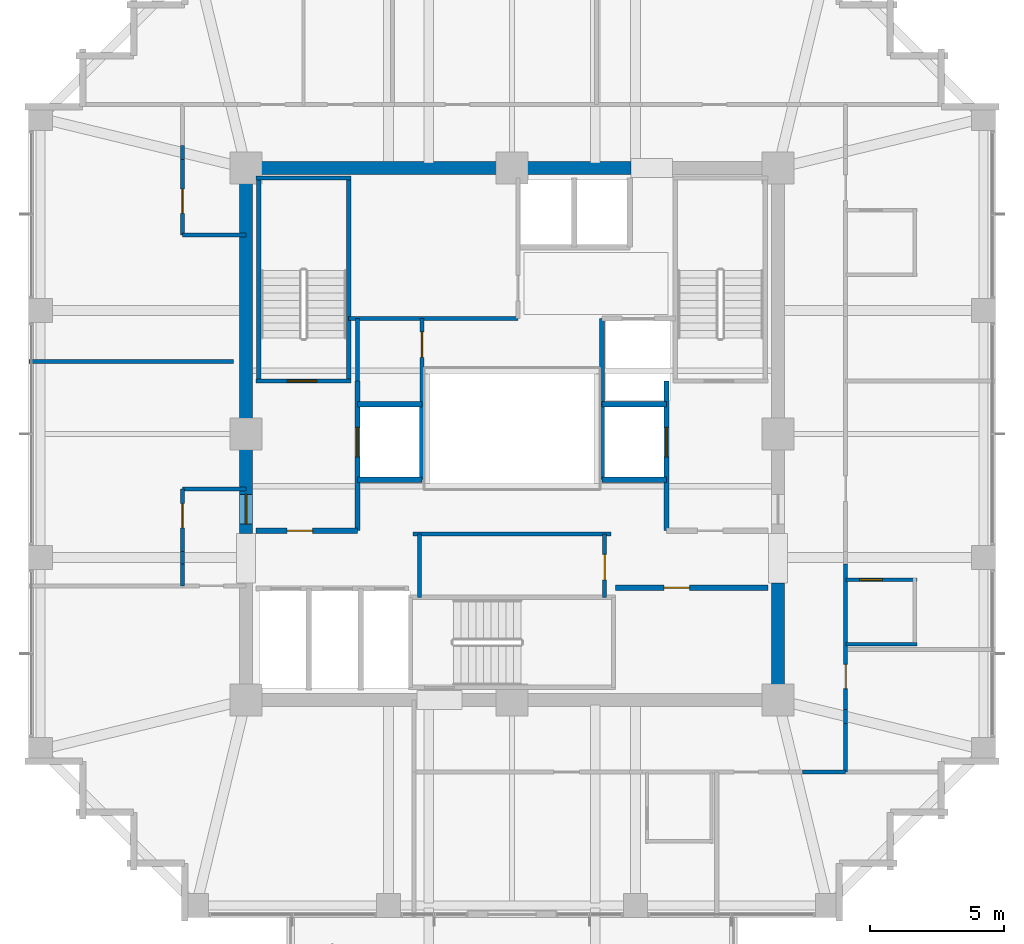
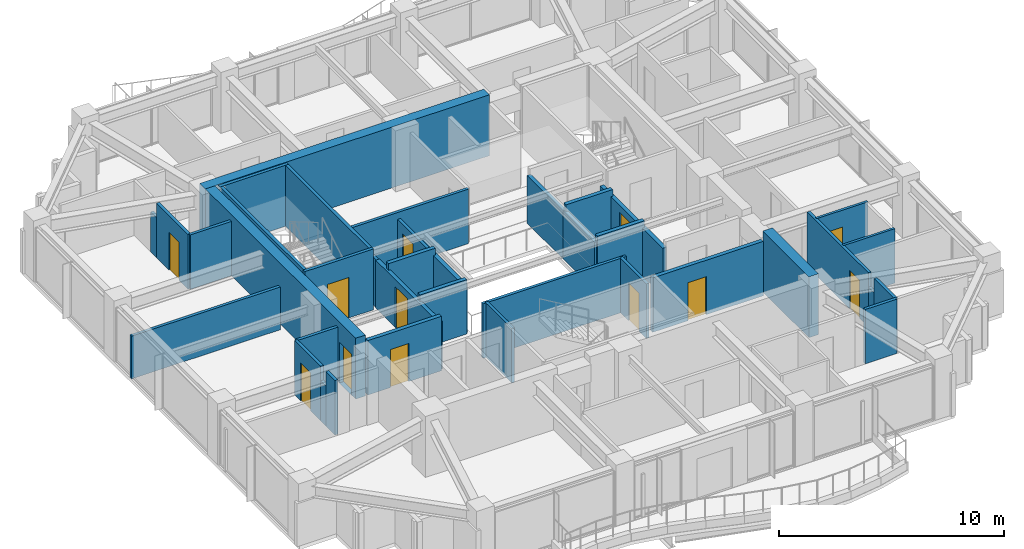
# One storey, part 27 of 31: 38 walls, 12 doors, 12 openings.
"""IFC4 building model written with IfcOpenShell, lengths in metres."""

from ifc_helpers import new_model, si_unit, direction, frame, frame_2d, origin, place, context, subcontext, project, spatial, rectangle, extrude, material, layer, layer_set, type_object, element, fill, save


model = new_model("IFC4")

# Units and contexts
model_context = context("Model", 3, precision=1e-05, world=origin(), true_north=direction((0.0, 1.0)))
body_context = subcontext(model_context, "Body", "Model", "MODEL_VIEW")
ifc_project = project(units=[si_unit("LENGTHUNIT", "METRE"), si_unit("AREAUNIT", "SQUARE_METRE"), si_unit("VOLUMEUNIT", "CUBIC_METRE"), si_unit("PLANEANGLEUNIT", "RADIAN"), si_unit("MASSUNIT", "GRAM", prefix="KILO")], contexts=[model_context])

# Site, building, storey
site_placement = place(None, origin())
site = spatial("IfcSite", under=ifc_project, at=site_placement, CompositionType="ELEMENT")
building_placement = place(site_placement, origin())
building = spatial("IfcBuilding", under=site, at=building_placement, Name="Kolvaren Belvedere", CompositionType="ELEMENT")
storey_placement = place(building_placement, frame((0.0, 0.0, 144.800048828125)))
storey = spatial("IfcBuildingStorey", under=building, at=storey_placement, Name="L42", CompositionType="ELEMENT", Elevation=144.800048828125)

# Walls
ifc_material_1 = material(Name="Concrete C50/60", Category="concrete")
ifc_layer_1 = layer(ifc_material_1, 0.5)
ifc_layer_set_1 = layer_set([ifc_layer_1], Name="Concrete C50/60")
wall_type_1 = type_object("IfcWallType", Name="CW-CORE-500", PredefinedType="SHEAR", material=ifc_layer_set_1)
wall_1_placement = place(storey_placement, frame((-10.14990234375, 9.89990234375, 0.0), z_axis=(0.0, 0.0, 1.0), x_axis=(1.0, 0.0, 0.0)))
element("IfcWall", 1, at=wall_1_placement, inside=storey, type_object=wall_type_1, Name="L42 North Core Shear Wall 1", PredefinedType="SHEAR", context=body_context, shape_type="SweptSolid", body=[
    extrude(rectangle(XDim=14.56982421875, YDim=0.5, at=frame_2d((7.284912109375, 0.0))), origin(), (0.0, 0.0, 1.0), 3.300048828125),
])
wall_2_placement = place(storey_placement, frame((9.89990234375, -9.64990234375, 0.0), z_axis=(0.0, 0.0, 1.0), x_axis=(0.0, 1.0, 0.0)))
element("IfcWall", 2, at=wall_2_placement, inside=storey, type_object=wall_type_1, Name="L42 East Core Shear Wall 1", PredefinedType="SHEAR", context=body_context, shape_type="SweptSolid", body=[
    extrude(rectangle(XDim=4.099853515625, YDim=0.5, at=frame_2d((2.0498046875, 0.0))), origin(), (0.0, 0.0, 1.0), 3.300048828125),
])

# Wall, opening, door
wall_3_placement = place(storey_placement, frame((-9.89990234375, -3.699951171875, 0.0), z_axis=(0.0, 0.0, 1.0), x_axis=(0.0, 1.0, 0.0)))
wall_3 = element("IfcWall", 3, at=wall_3_placement, inside=storey, type_object=wall_type_1, Name="L42 West Core Shear Wall 2", PredefinedType="SHEAR", context=body_context, shape_type="SweptSolid", body=[
    extrude(rectangle(XDim=13.349853515625, YDim=0.5, at=frame_2d((6.6748046875, 0.0))), origin(), (0.0, 0.0, 1.0), 3.300048828125),
])
opening_1_placement = place(wall_3_placement, frame((0.35009765625, 0.0, 0.0)))
opening_1 = element("IfcOpeningElement", 4, at=opening_1_placement, cuts=wall_3, Name="Opening D-FD90", PredefinedType="OPENING", context=body_context, shape_type="SweptSolid", body=[
    extrude(rectangle(XDim=1.10009765625, YDim=2.199951171875, at=frame_2d((0.550048828125, 1.10009765625))), frame((0.0, 0.260009765625, 0.0), z_axis=(0.0, -1.0, 0.0), x_axis=(1.0, 0.0, 0.0)), (0.0, 0.0, 1.0), 0.52001953125),
])
ifc_material_2 = material(Name="Painted hollow stainless steel", Category="steel")
door_type_1 = type_object("IfcDoorType", Name="DR-FD90-1100", OperationType="NOTDEFINED", PredefinedType="DOOR", material=ifc_material_2)
door_1_placement = place(opening_1_placement, origin())
door_1 = element("IfcDoor", 5, at=door_1_placement, inside=storey, type_object=door_type_1, Name="L42 West Firefighting Lobby Fire Door", OperationType="SINGLE_SWING_LEFT", OverallHeight=2.199951171875, OverallWidth=1.10009765625, PredefinedType="DOOR", context=body_context, shape_type="SweptSolid", body=[
    extrude(rectangle(XDim=1.10009765625, YDim=2.199951171875, at=frame_2d((0.550048828125, 1.10009765625))), frame((0.0, 0.02490234375, 0.0), z_axis=(0.0, -1.0, 0.0), x_axis=(1.0, 0.0, 0.0)), (0.0, 0.0, 1.0), 0.050048828125),
])
fill(opening_1, door_1)

ifc_material_3 = material(Name="Concrete C50/60", Category="concrete")
ifc_layer_2 = layer(ifc_material_3, 0.159912109375)
ifc_layer_set_2 = layer_set([ifc_layer_2], Name="Concrete C50/60")
wall_type_2 = type_object("IfcWallType", Name="CW-STAIR-160", PredefinedType="SHEAR", material=ifc_layer_set_2)
wall_4_placement = place(storey_placement, frame((-9.52001953125, 1.969970703125, 0.0), z_axis=(0.0, 0.0, 1.0), x_axis=(1.0, 0.0, 0.0)))
wall_4 = element("IfcWall", 6, at=wall_4_placement, inside=storey, type_object=wall_type_2, Name="L42 Stair ST-1 South Shear Wall", PredefinedType="SHEAR", context=body_context, shape_type="SweptSolid", body=[
    extrude(rectangle(XDim=3.52001953125, YDim=0.159912109375, at=frame_2d((1.760009765625, 0.0))), origin(), (0.0, 0.0, 1.0), 3.300048828125),
])
opening_2_placement = place(wall_4_placement, frame((1.14990234375, 0.0, 0.0)))
opening_2 = element("IfcOpeningElement", 7, at=opening_2_placement, cuts=wall_4, Name="Opening D-FD90", PredefinedType="OPENING", context=body_context, shape_type="SweptSolid", body=[
    extrude(rectangle(XDim=1.10009765625, YDim=2.199951171875, at=frame_2d((0.550048828125, 1.10009765625))), frame((0.0, 0.08984375, 0.0), z_axis=(0.0, -1.0, 0.0), x_axis=(1.0, 0.0, 0.0)), (0.0, 0.0, 1.0), 0.179931640625),
])
door_2_placement = place(opening_2_placement, origin())
door_2 = element("IfcDoor", 8, at=door_2_placement, inside=storey, type_object=door_type_1, Name="L42 Stair ST-1 Fire Door", OperationType="SINGLE_SWING_LEFT", OverallHeight=2.199951171875, OverallWidth=1.10009765625, PredefinedType="DOOR", context=body_context, shape_type="SweptSolid", body=[
    extrude(rectangle(XDim=1.10009765625, YDim=2.199951171875, at=frame_2d((0.550048828125, 1.10009765625))), frame((0.0, 0.02490234375, 0.0), z_axis=(0.0, -1.0, 0.0), x_axis=(1.0, 0.0, 0.0)), (0.0, 0.0, 1.0), 0.050048828125),
])
fill(opening_2, door_2)

# Walls
wall_5_placement = place(storey_placement, frame((-9.52001953125, 9.530029296875, 0.0), z_axis=(0.0, 0.0, 1.0), x_axis=(1.0, 0.0, 0.0)))
element("IfcWall", 9, at=wall_5_placement, inside=storey, type_object=wall_type_2, Name="L42 Stair ST-1 North Shear Wall", PredefinedType="SHEAR", context=body_context, shape_type="SweptSolid", body=[
    extrude(rectangle(XDim=3.52001953125, YDim=0.159912109375, at=frame_2d((1.760009765625, 0.0))), origin(), (0.0, 0.0, 1.0), 3.300048828125),
])
for number, where, z_axis, x_axis, name in (
    (10, (-9.429931640625, 1.969970703125, 0.0), (0.0, 0.0, 1.0), (0.0, 1.0, 0.0), "L42 Stair ST-1 West Shear Wall"),
    (11, (-6.080078125, 1.969970703125, 0.0), (0.0, 0.0, 1.0), (0.0, 1.0, 0.0), "L42 Stair ST-1 East Shear Wall"),
):
    element("IfcWall", number, at=place(storey_placement, frame(where, z_axis=z_axis, x_axis=x_axis)), inside=storey, type_object=wall_type_2, Name=name, PredefinedType="SHEAR", context=body_context, shape_type="SweptSolid", body=[
        extrude(rectangle(XDim=7.56005859375, YDim=0.159912109375, at=frame_2d((3.780029296875, 0.0))), origin(), (0.0, 0.0, 1.0), 3.300048828125),
    ])

# Wall, opening, door
ifc_material_4 = material(Name="Gypsum fire-rated partition assembly", Category="gypsum")
ifc_layer_3 = layer(ifc_material_4, 0.14990234375)
ifc_layer_set_3 = layer_set([ifc_layer_3], Name="Gypsum fire-rated partition assembly")
wall_type_3 = type_object("IfcWallType", Name="WL-CORR-150", PredefinedType="PARTITIONING", material=ifc_layer_set_3)
wall_6_placement = place(storey_placement, frame((-12.260009765625, 7.39990234375, 0.0), z_axis=(0.0, 0.0, 1.0), x_axis=(0.0, 1.0, 0.0)))
wall_6 = element("IfcWall", 12, at=wall_6_placement, inside=storey, type_object=wall_type_3, Name="L42 NW Corridor End Wall", PredefinedType="PARTITIONING", context=body_context, shape_type="SweptSolid", body=[
    extrude(rectangle(XDim=2.8115234375, YDim=0.14990234375, at=frame_2d((1.40576171875, 0.0))), origin(), (0.0, 0.0, 1.0), 2.949951171875),
])
opening_3_placement = place(wall_6_placement, frame((0.810302734375, 0.0, 0.0)))
opening_3 = element("IfcOpeningElement", 13, at=opening_3_placement, cuts=wall_6, Name="Opening D-INT90", PredefinedType="OPENING", context=body_context, shape_type="SweptSolid", body=[
    extrude(rectangle(XDim=0.89990234375, YDim=2.06005859375, at=frame_2d((0.449951171875, 1.030029296875))), frame((0.0, 0.0849609375, 0.0), z_axis=(0.0, -1.0, 0.0), x_axis=(1.0, 0.0, 0.0)), (0.0, 0.0, 1.0), 0.169921875),
])
ifc_material_5 = material(Name="Stained Pacific white oak", Category="timber")
door_type_2 = type_object("IfcDoorType", Name="DR-INT-900", OperationType="NOTDEFINED", PredefinedType="DOOR", material=ifc_material_5)
door_3_placement = place(opening_3_placement, origin())
door_3 = element("IfcDoor", 14, at=door_3_placement, inside=storey, type_object=door_type_2, Name="L42 Lounge 4206 Door", OperationType="SINGLE_SWING_LEFT", OverallHeight=2.06005859375, OverallWidth=0.89990234375, PredefinedType="DOOR", context=body_context, shape_type="SweptSolid", body=[
    extrude(rectangle(XDim=0.89990234375, YDim=2.06005859375, at=frame_2d((0.449951171875, 1.030029296875))), frame((0.0, 0.02490234375, 0.0), z_axis=(0.0, -1.0, 0.0), x_axis=(1.0, 0.0, 0.0)), (0.0, 0.0, 1.0), 0.050048828125),
])
fill(opening_3, door_3)

# Walls
wall_7_placement = place(storey_placement, frame((-12.260009765625, 10.21142578125, 0.0), z_axis=(0.0, 0.0, 1.0), x_axis=(0.0, 1.0, 0.0)))
element("IfcWall", 15, at=wall_7_placement, inside=storey, type_object=wall_type_3, Name="L42 NW Corridor End Wall", PredefinedType="PARTITIONING", context=body_context, shape_type="SweptSolid", body=[
    extrude(rectangle(XDim=0.5185546875, YDim=0.14990234375, at=frame_2d((0.25927734375, 0.0))), origin(), (0.0, 0.0, 1.0), 2.161865234375),
])
wall_8_placement = place(storey_placement, frame((-12.260009765625, 7.39990234375, 0.0), z_axis=(0.0, 0.0, 1.0), x_axis=(1.0, 0.0, 0.0)))
element("IfcWall", 16, at=wall_8_placement, inside=storey, type_object=wall_type_3, Name="L42 NW Core Closure Wall", PredefinedType="PARTITIONING", context=body_context, shape_type="SweptSolid", body=[
    extrude(rectangle(XDim=2.360107421875, YDim=0.14990234375, at=frame_2d((1.18017578125, 0.0))), origin(), (0.0, 0.0, 1.0), 2.949951171875),
])
wall_9_placement = place(storey_placement, frame((12.419921875, -12.580078125, 0.0), z_axis=(0.0, 0.0, 1.0), x_axis=(0.0, 1.0, 0.0)))
element("IfcWall", 17, at=wall_9_placement, inside=storey, type_object=wall_type_3, Name="L42 East Corridor Wall", PredefinedType="PARTITIONING", context=body_context, shape_type="SweptSolid", body=[
    extrude(rectangle(XDim=1.811279296875, YDim=0.14990234375, at=frame_2d((0.90576171875, 0.0))), origin(), (0.0, 0.0, 1.0), 2.949951171875),
])
wall_10_placement = place(storey_placement, frame((12.419921875, -10.768798828125, 0.0), z_axis=(0.0, 0.0, 1.0), x_axis=(0.0, 1.0, 0.0)))
element("IfcWall", 18, at=wall_10_placement, inside=storey, type_object=wall_type_3, Name="L42 East Corridor Wall", PredefinedType="PARTITIONING", context=body_context, shape_type="SweptSolid", body=[
    extrude(rectangle(XDim=0.518798828125, YDim=0.14990234375, at=frame_2d((0.25927734375, 0.0))), origin(), (0.0, 0.0, 1.0), 2.161865234375),
])

# Wall, opening, door
wall_11_placement = place(storey_placement, frame((12.419921875, -10.25, 0.0), z_axis=(0.0, 0.0, 1.0), x_axis=(0.0, 1.0, 0.0)))
wall_11 = element("IfcWall", 19, at=wall_11_placement, inside=storey, type_object=wall_type_3, Name="L42 East Corridor Wall", PredefinedType="PARTITIONING", context=body_context, shape_type="SweptSolid", body=[
    extrude(rectangle(XDim=5.41748046875, YDim=0.14990234375, at=frame_2d((2.708740234375, 0.0))), origin(), (0.0, 0.0, 1.0), 2.949951171875),
])
opening_4_placement = place(wall_11_placement, frame((0.7744140625, 0.0, 0.0)))
opening_4 = element("IfcOpeningElement", 20, at=opening_4_placement, cuts=wall_11, Name="Opening D-INT90", PredefinedType="OPENING", context=body_context, shape_type="SweptSolid", body=[
    extrude(rectangle(XDim=0.89990234375, YDim=2.06005859375, at=frame_2d((0.449951171875, 1.030029296875))), frame((0.0, 0.0849609375, 0.0), z_axis=(0.0, -1.0, 0.0), x_axis=(1.0, 0.0, 0.0)), (0.0, 0.0, 1.0), 0.169921875),
])
door_4_placement = place(opening_4_placement, origin())
door_4 = element("IfcDoor", 21, at=door_4_placement, inside=storey, type_object=door_type_2, Name="L42 Botanical Reading Salon 4203 Door", OperationType="SINGLE_SWING_RIGHT", OverallHeight=2.06005859375, OverallWidth=0.89990234375, PredefinedType="DOOR", context=body_context, shape_type="SweptSolid", body=[
    extrude(rectangle(XDim=0.89990234375, YDim=2.06005859375, at=frame_2d((0.449951171875, 1.030029296875))), frame((0.0, 0.02490234375, 0.0), z_axis=(0.0, -1.0, 0.0), x_axis=(1.0, 0.0, 0.0)), (0.0, 0.0, 1.0), 0.050048828125),
])
fill(opening_4, door_4)

# Walls
wall_12_placement = place(storey_placement, frame((10.8076171875, -12.580078125, 0.0), z_axis=(0.0, 0.0, 1.0), x_axis=(1.0, 0.0, 0.0)))
element("IfcWall", 22, at=wall_12_placement, inside=storey, type_object=wall_type_3, Name="L42 South-East Corridor Wall", PredefinedType="PARTITIONING", context=body_context, shape_type="SweptSolid", body=[
    extrude(rectangle(XDim=1.6123046875, YDim=0.14990234375, at=frame_2d((0.80615234375, 0.0))), origin(), (0.0, 0.0, 1.0), 2.949951171875),
])
wall_13_placement = place(storey_placement, frame((-12.260009765625, -5.64990234375, 0.0), z_axis=(0.0, 0.0, 1.0), x_axis=(0.0, 1.0, 0.0)))
element("IfcWall", 23, at=wall_13_placement, inside=storey, type_object=wall_type_3, Name="L42 West FSAE Pocket Wall", PredefinedType="PARTITIONING", context=body_context, shape_type="SweptSolid", body=[
    extrude(rectangle(XDim=0.8173828125, YDim=0.14990234375, at=frame_2d((0.40869140625, 0.0))), origin(), (0.0, 0.0, 1.0), 2.949951171875),
])
wall_14_placement = place(storey_placement, frame((-12.260009765625, -4.83251953125, 0.0), z_axis=(0.0, 0.0, 1.0), x_axis=(0.0, 1.0, 0.0)))
element("IfcWall", 24, at=wall_14_placement, inside=storey, type_object=wall_type_3, Name="L42 West FSAE Pocket Wall", PredefinedType="PARTITIONING", context=body_context, shape_type="SweptSolid", body=[
    extrude(rectangle(XDim=0.465087890625, YDim=0.14990234375, at=frame_2d((0.232421875, 0.0))), origin(), (0.0, 0.0, 1.0), 2.161865234375),
])

# Wall, opening, door
wall_15_placement = place(storey_placement, frame((-12.260009765625, -4.367431640625, 0.0), z_axis=(0.0, 0.0, 1.0), x_axis=(0.0, 1.0, 0.0)))
wall_15 = element("IfcWall", 25, at=wall_15_placement, inside=storey, type_object=wall_type_3, Name="L42 West FSAE Pocket Wall", PredefinedType="PARTITIONING", context=body_context, shape_type="SweptSolid", body=[
    extrude(rectangle(XDim=2.3173828125, YDim=0.14990234375, at=frame_2d((1.15869140625, 0.0))), origin(), (0.0, 0.0, 1.0), 2.949951171875),
])
opening_5_placement = place(wall_15_placement, frame((0.873779296875, 0.0, 0.0)))
opening_5 = element("IfcOpeningElement", 26, at=opening_5_placement, cuts=wall_15, Name="Opening D-INT90", PredefinedType="OPENING", context=body_context, shape_type="SweptSolid", body=[
    extrude(rectangle(XDim=0.89990234375, YDim=2.06005859375, at=frame_2d((0.449951171875, 1.030029296875))), frame((0.0, 0.0849609375, 0.0), z_axis=(0.0, -1.0, 0.0), x_axis=(1.0, 0.0, 0.0)), (0.0, 0.0, 1.0), 0.169921875),
])
door_5_placement = place(opening_5_placement, origin())
door_5 = element("IfcDoor", 27, at=door_5_placement, inside=storey, type_object=door_type_2, Name="L42 Lounge 4207 Door", OperationType="SINGLE_SWING_RIGHT", OverallHeight=2.06005859375, OverallWidth=0.89990234375, PredefinedType="DOOR", context=body_context, shape_type="SweptSolid", body=[
    extrude(rectangle(XDim=0.89990234375, YDim=2.06005859375, at=frame_2d((0.449951171875, 1.030029296875))), frame((0.0, 0.02490234375, 0.0), z_axis=(0.0, -1.0, 0.0), x_axis=(1.0, 0.0, 0.0)), (0.0, 0.0, 1.0), 0.050048828125),
])
fill(opening_5, door_5)

# Walls
wall_16_placement = place(storey_placement, frame((-12.260009765625, -2.050048828125, 0.0), z_axis=(0.0, 0.0, 1.0), x_axis=(1.0, 0.0, 0.0)))
element("IfcWall", 28, at=wall_16_placement, inside=storey, type_object=wall_type_3, Name="L42 West Pocket North Closure Wall", PredefinedType="PARTITIONING", context=body_context, shape_type="SweptSolid", body=[
    extrude(rectangle(XDim=2.360107421875, YDim=0.14990234375, at=frame_2d((1.18017578125, 0.0))), origin(), (0.0, 0.0, 1.0), 2.949951171875),
])
ifc_material_6 = material(Name="Gypsum acoustic partition assembly", Category="gypsum")
ifc_layer_4 = layer(ifc_material_6, 0.14990234375)
ifc_layer_set_4 = layer_set([ifc_layer_4], Name="Gypsum acoustic partition assembly")
wall_type_4 = type_object("IfcWallType", Name="WL-PART-150", PredefinedType="PARTITIONING", material=ifc_layer_set_4)
wall_17_placement = place(storey_placement, frame((-6.080078125, 4.300048828125, 0.0), z_axis=(0.0, 0.0, 1.0), x_axis=(1.0, 0.0, 0.0)))
element("IfcWall", 29, at=wall_17_placement, inside=storey, type_object=wall_type_4, Name="L42 Reclaimed Salon South Wall", PredefinedType="PARTITIONING", context=body_context, shape_type="SweptSolid", body=[
    extrude(rectangle(XDim=6.300048828125, YDim=0.14990234375, at=frame_2d((3.14990234375, 0.0))), origin(), (0.0, 0.0, 1.0), 2.949951171875),
])
wall_18_placement = place(storey_placement, frame((-3.679931640625, -3.719970703125, 0.0), z_axis=(0.0, 0.0, 1.0), x_axis=(1.0, 0.0, 0.0)))
element("IfcWall", 30, at=wall_18_placement, inside=storey, type_object=wall_type_4, Name="L42 South Core Service North Wall", PredefinedType="PARTITIONING", context=body_context, shape_type="SweptSolid", body=[
    extrude(rectangle(XDim=7.35986328125, YDim=0.14990234375, at=frame_2d((3.679931640625, 0.0))), origin(), (0.0, 0.0, 1.0), 2.949951171875),
])

# Wall, opening, door
wall_19_placement = place(storey_placement, frame((3.449951171875, -6.080078125, 0.0), z_axis=(0.0, 0.0, 1.0), x_axis=(0.0, 1.0, 0.0)))
wall_19 = element("IfcWall", 31, at=wall_19_placement, inside=storey, type_object=wall_type_4, Name="L42 South Core Service East Wall", PredefinedType="PARTITIONING", context=body_context, shape_type="SweptSolid", body=[
    extrude(rectangle(XDim=2.360107421875, YDim=0.14990234375, at=frame_2d((1.18017578125, 0.0))), origin(), (0.0, 0.0, 1.0), 2.949951171875),
])
opening_6_placement = place(wall_19_placement, frame((0.64990234375, 0.0, 0.0)))
opening_6 = element("IfcOpeningElement", 32, at=opening_6_placement, cuts=wall_19, Name="Opening D-FD60", PredefinedType="OPENING", context=body_context, shape_type="SweptSolid", body=[
    extrude(rectangle(XDim=0.949951171875, YDim=2.06005859375, at=frame_2d((0.47509765625, 1.030029296875))), frame((0.0, 0.0849609375, 0.0), z_axis=(0.0, -1.0, 0.0), x_axis=(1.0, 0.0, 0.0)), (0.0, 0.0, 1.0), 0.169921875),
])
ifc_material_7 = material(Name="Acoustic white-oak fire door leaf", Category="timber")
door_type_3 = type_object("IfcDoorType", Name="DR-FD60-950", OperationType="NOTDEFINED", PredefinedType="DOOR", material=ifc_material_7)
door_6_placement = place(opening_6_placement, origin())
door_6 = element("IfcDoor", 33, at=door_6_placement, inside=storey, type_object=door_type_3, Name="L42 Core Service Room Door", OperationType="SINGLE_SWING_LEFT", OverallHeight=2.06005859375, OverallWidth=0.949951171875, PredefinedType="DOOR", context=body_context, shape_type="SweptSolid", body=[
    extrude(rectangle(XDim=0.949951171875, YDim=2.06005859375, at=frame_2d((0.47509765625, 1.030029296875))), frame((0.0, 0.02490234375, 0.0), z_axis=(0.0, -1.0, 0.0), x_axis=(1.0, 0.0, 0.0)), (0.0, 0.0, 1.0), 0.050048828125),
])
fill(opening_6, door_6)

# Wall
wall_20_placement = place(storey_placement, frame((-3.449951171875, -6.080078125, 0.0), z_axis=(0.0, 0.0, 1.0), x_axis=(0.0, 1.0, 0.0)))
element("IfcWall", 34, at=wall_20_placement, inside=storey, type_object=wall_type_4, Name="L42 South Core Service West Wall", PredefinedType="PARTITIONING", context=body_context, shape_type="SweptSolid", body=[
    extrude(rectangle(XDim=2.360107421875, YDim=0.14990234375, at=frame_2d((1.18017578125, 0.0))), origin(), (0.0, 0.0, 1.0), 2.949951171875),
])

# Wall, opening, door
wall_21_placement = place(storey_placement, frame((-3.35009765625, 1.10009765625, 0.0), z_axis=(0.0, 0.0, 1.0), x_axis=(0.0, 1.0, 0.0)))
wall_21 = element("IfcWall", 35, at=wall_21_placement, inside=storey, type_object=wall_type_4, Name="L42 NW Service Room East Wall", PredefinedType="PARTITIONING", context=body_context, shape_type="SweptSolid", body=[
    extrude(rectangle(XDim=3.199951171875, YDim=0.14990234375, at=frame_2d((1.60009765625, 0.0))), origin(), (0.0, 0.0, 1.0), 2.5849609375),
])
opening_7_placement = place(wall_21_placement, frame((1.75, 0.0, 0.0)))
opening_7 = element("IfcOpeningElement", 36, at=opening_7_placement, cuts=wall_21, Name="Opening D-FD60", PredefinedType="OPENING", context=body_context, shape_type="SweptSolid", body=[
    extrude(rectangle(XDim=0.949951171875, YDim=2.06005859375, at=frame_2d((0.47509765625, 1.030029296875))), frame((0.0, 0.0849609375, 0.0), z_axis=(0.0, -1.0, 0.0), x_axis=(1.0, 0.0, 0.0)), (0.0, 0.0, 1.0), 0.169921875),
])
door_7_placement = place(opening_7_placement, origin())
door_7 = element("IfcDoor", 37, at=door_7_placement, inside=storey, type_object=door_type_3, Name="L42 NW Core Store Door", OperationType="SINGLE_SWING_LEFT", OverallHeight=2.06005859375, OverallWidth=0.949951171875, PredefinedType="DOOR", context=body_context, shape_type="SweptSolid", body=[
    extrude(rectangle(XDim=0.949951171875, YDim=2.06005859375, at=frame_2d((0.47509765625, 1.030029296875))), frame((0.0, 0.02490234375, 0.0), z_axis=(0.0, -1.0, 0.0), x_axis=(1.0, 0.0, 0.0)), (0.0, 0.0, 1.0), 0.050048828125),
])
fill(opening_7, door_7)

# Walls
wall_22_placement = place(storey_placement, frame((-5.75, 1.969970703125, 0.0), z_axis=(0.0, 0.0, 1.0), x_axis=(0.0, 1.0, 0.0)))
element("IfcWall", 38, at=wall_22_placement, inside=storey, type_object=wall_type_4, Name="L42 NW Service Room West Wall", PredefinedType="PARTITIONING", context=body_context, shape_type="SweptSolid", body=[
    extrude(rectangle(XDim=2.330078125, YDim=0.14990234375, at=frame_2d((1.1650390625, 0.0))), origin(), (0.0, 0.0, 1.0), 2.5849609375),
])
wall_23_placement = place(storey_placement, frame((-17.97998046875, 2.699951171875, 0.0), z_axis=(0.0, 0.0, 1.0), x_axis=(1.0, 0.0, 0.0)))
element("IfcWall", 39, at=wall_23_placement, inside=storey, type_object=wall_type_4, Name="L42 West Upper Suite Divider", PredefinedType="PARTITIONING", context=body_context, shape_type="SweptSolid", body=[
    extrude(rectangle(XDim=7.619873046875, YDim=0.14990234375, at=frame_2d((3.81005859375, 0.0))), origin(), (0.0, 0.0, 1.0), 2.31884765625),
])

# Wall, opening, door
ifc_material_8 = material(Name="Concrete C50/60", Category="concrete")
ifc_layer_5 = layer(ifc_material_8, 0.199951171875)
ifc_layer_set_5 = layer_set([ifc_layer_5], Name="Concrete C50/60")
wall_type_5 = type_object("IfcWallType", Name="WL-SHAFT-200", PredefinedType="SOLIDWALL", material=ifc_layer_set_5)
wall_24_placement = place(storey_placement, frame((-9.52001953125, -3.60009765625, 0.0), z_axis=(0.0, 0.0, 1.0), x_axis=(1.0, 0.0, 0.0)))
wall_24 = element("IfcWall", 40, at=wall_24_placement, inside=storey, type_object=wall_type_5, Name="L42 West FSAE Lobby South Wall", PredefinedType="SOLIDWALL", context=body_context, shape_type="SweptSolid", body=[
    extrude(rectangle(XDim=3.77001953125, YDim=0.199951171875, at=frame_2d((1.885009765625, 0.0))), origin(), (0.0, 0.0, 1.0), 2.949951171875),
])
opening_8_placement = place(wall_24_placement, frame((1.14990234375, 0.0, 0.0)))
opening_8 = element("IfcOpeningElement", 41, at=opening_8_placement, cuts=wall_24, Name="Opening D-FD60", PredefinedType="OPENING", context=body_context, shape_type="SweptSolid", body=[
    extrude(rectangle(XDim=0.949951171875, YDim=2.06005859375, at=frame_2d((0.47509765625, 1.030029296875))), frame((0.0, 0.10986328125, 0.0), z_axis=(0.0, -1.0, 0.0), x_axis=(1.0, 0.0, 0.0)), (0.0, 0.0, 1.0), 0.219970703125),
])
door_8_placement = place(opening_8_placement, origin())
door_8 = element("IfcDoor", 42, at=door_8_placement, inside=storey, type_object=door_type_3, Name="L42 Mid-Rise Lift Lobby Fire Door", OperationType="SINGLE_SWING_LEFT", OverallHeight=2.06005859375, OverallWidth=0.949951171875, PredefinedType="DOOR", context=body_context, shape_type="SweptSolid", body=[
    extrude(rectangle(XDim=0.949951171875, YDim=2.06005859375, at=frame_2d((0.47509765625, 1.030029296875))), frame((0.0, 0.02490234375, 0.0), z_axis=(0.0, -1.0, 0.0), x_axis=(1.0, 0.0, 0.0)), (0.0, 0.0, 1.0), 0.050048828125),
])
fill(opening_8, door_8)

wall_25_placement = place(storey_placement, frame((-5.75, -3.60009765625, 0.0), z_axis=(0.0, 0.0, 1.0), x_axis=(0.0, 1.0, 0.0)))
wall_25 = element("IfcWall", 43, at=wall_25_placement, inside=storey, type_object=wall_type_5, Name="L42 FSAE FS1 Landing Wall", PredefinedType="SOLIDWALL", context=body_context, shape_type="SweptSolid", body=[
    extrude(rectangle(XDim=5.570068359375, YDim=0.199951171875, at=frame_2d((2.78515625, 0.0))), origin(), (0.0, 0.0, 1.0), 2.5849609375),
])
opening_9_placement = place(wall_25_placement, frame((2.75, 0.0, 0.0)))
opening_9 = element("IfcOpeningElement", 44, at=opening_9_placement, cuts=wall_25, Name="Opening LD-11", PredefinedType="OPENING", context=body_context, shape_type="SweptSolid", body=[
    extrude(rectangle(XDim=1.10009765625, YDim=2.199951171875, at=frame_2d((0.550048828125, 1.10009765625))), frame((0.0, 0.10986328125, 0.0), z_axis=(0.0, -1.0, 0.0), x_axis=(1.0, 0.0, 0.0)), (0.0, 0.0, 1.0), 0.219970703125),
])
ifc_material_9 = material(Name="Brushed stainless steel", Category="steel")
door_type_4 = type_object("IfcDoorType", Name="DR-LIFT-1100", OperationType="DOUBLE_DOOR_SLIDING", PredefinedType="DOOR", material=ifc_material_9)
door_9_placement = place(opening_9_placement, origin())
door_9 = element("IfcDoor", 45, at=door_9_placement, inside=storey, type_object=door_type_4, Name="L42 Firefighting Lift FS1 Landing Door", OperationType="DOUBLE_DOOR_SLIDING", OverallHeight=2.199951171875, OverallWidth=1.10009765625, PredefinedType="DOOR", context=body_context, shape_type="SweptSolid", body=[
    extrude(rectangle(XDim=1.10009765625, YDim=2.199951171875, at=frame_2d((0.550048828125, 1.10009765625))), frame((0.0, 0.02490234375, 0.0), z_axis=(0.0, -1.0, 0.0), x_axis=(1.0, 0.0, 0.0)), (0.0, 0.0, 1.0), 0.050048828125),
])
fill(opening_9, door_9)

# Walls
wall_26_placement = place(storey_placement, frame((-3.35009765625, -1.699951171875, 0.0), z_axis=(0.0, 0.0, 1.0), x_axis=(0.0, 1.0, 0.0)))
element("IfcWall", 46, at=wall_26_placement, inside=storey, type_object=wall_type_5, Name="L42 FSAE FS1 Back Wall", PredefinedType="SOLIDWALL", context=body_context, shape_type="SweptSolid", body=[
    extrude(rectangle(XDim=2.800048828125, YDim=0.199951171875, at=frame_2d((1.39990234375, 0.0))), origin(), (0.0, 0.0, 1.0), 2.5849609375),
])
for number, where, z_axis, x_axis, name in (
    (47, (-5.75, -1.699951171875, 0.0), (0.0, 0.0, 1.0), (1.0, 0.0, 0.0), "L42 FSAE FS1 South Wall"),
    (48, (-5.75, 1.10009765625, 0.0), (0.0, 0.0, 1.0), (1.0, 0.0, 0.0), "L42 FSAE FS1 North Wall"),
):
    element("IfcWall", number, at=place(storey_placement, frame(where, z_axis=z_axis, x_axis=x_axis)), inside=storey, type_object=wall_type_5, Name=name, PredefinedType="SOLIDWALL", context=body_context, shape_type="SweptSolid", body=[
        extrude(rectangle(XDim=2.39990234375, YDim=0.199951171875, at=frame_2d((1.199951171875, 0.0))), origin(), (0.0, 0.0, 1.0), 2.949951171875),
    ])

# Wall, opening, door
wall_27_placement = place(storey_placement, frame((5.75, -3.60009765625, 0.0), z_axis=(0.0, 0.0, 1.0), x_axis=(0.0, 1.0, 0.0)))
wall_27 = element("IfcWall", 49, at=wall_27_placement, inside=storey, type_object=wall_type_5, Name="L42 FSAE FS2 Landing Wall", PredefinedType="SOLIDWALL", context=body_context, shape_type="SweptSolid", body=[
    extrude(rectangle(XDim=5.570068359375, YDim=0.199951171875, at=frame_2d((2.78515625, 0.0))), origin(), (0.0, 0.0, 1.0), 2.5849609375),
])
opening_10_placement = place(wall_27_placement, frame((2.75, 0.0, 0.0)))
opening_10 = element("IfcOpeningElement", 50, at=opening_10_placement, cuts=wall_27, Name="Opening LD-11", PredefinedType="OPENING", context=body_context, shape_type="SweptSolid", body=[
    extrude(rectangle(XDim=1.10009765625, YDim=2.199951171875, at=frame_2d((0.550048828125, 1.10009765625))), frame((0.0, 0.10986328125, 0.0), z_axis=(0.0, -1.0, 0.0), x_axis=(1.0, 0.0, 0.0)), (0.0, 0.0, 1.0), 0.219970703125),
])
door_10_placement = place(opening_10_placement, origin())
door_10 = element("IfcDoor", 51, at=door_10_placement, inside=storey, type_object=door_type_4, Name="L42 Firefighting Lift FS2 Landing Door", OperationType="DOUBLE_DOOR_SLIDING", OverallHeight=2.199951171875, OverallWidth=1.10009765625, PredefinedType="DOOR", context=body_context, shape_type="SweptSolid", body=[
    extrude(rectangle(XDim=1.10009765625, YDim=2.199951171875, at=frame_2d((0.550048828125, 1.10009765625))), frame((0.0, 0.02490234375, 0.0), z_axis=(0.0, -1.0, 0.0), x_axis=(1.0, 0.0, 0.0)), (0.0, 0.0, 1.0), 0.050048828125),
])
fill(opening_10, door_10)

# Walls
wall_28_placement = place(storey_placement, frame((3.35009765625, -1.699951171875, 0.0), z_axis=(0.0, 0.0, 1.0), x_axis=(0.0, 1.0, 0.0)))
element("IfcWall", 52, at=wall_28_placement, inside=storey, type_object=wall_type_5, Name="L42 FSAE FS2 Back Wall", PredefinedType="SOLIDWALL", context=body_context, shape_type="SweptSolid", body=[
    extrude(rectangle(XDim=2.800048828125, YDim=0.199951171875, at=frame_2d((1.39990234375, 0.0))), origin(), (0.0, 0.0, 1.0), 2.5849609375),
])
for number, where, z_axis, x_axis, name in (
    (53, (3.35009765625, -1.699951171875, 0.0), (0.0, 0.0, 1.0), (1.0, 0.0, 0.0), "L42 FSAE FS2 South Wall"),
    (54, (3.35009765625, 1.10009765625, 0.0), (0.0, 0.0, 1.0), (1.0, 0.0, 0.0), "L42 FSAE FS2 North Wall"),
):
    element("IfcWall", number, at=place(storey_placement, frame(where, z_axis=z_axis, x_axis=x_axis)), inside=storey, type_object=wall_type_5, Name=name, PredefinedType="SOLIDWALL", context=body_context, shape_type="SweptSolid", body=[
        extrude(rectangle(XDim=2.39990234375, YDim=0.199951171875, at=frame_2d((1.199951171875, 0.0))), origin(), (0.0, 0.0, 1.0), 2.949951171875),
    ])
wall_29_placement = place(storey_placement, frame((3.35009765625, 1.10009765625, 0.0), z_axis=(0.0, 0.0, 1.0), x_axis=(0.0, 1.0, 0.0)))
element("IfcWall", 55, at=wall_29_placement, inside=storey, type_object=wall_type_5, Name="L42 Service Lift SV1 West Wall", PredefinedType="SOLIDWALL", context=body_context, shape_type="SweptSolid", body=[
    extrude(rectangle(XDim=3.199951171875, YDim=0.199951171875, at=frame_2d((1.60009765625, 0.0))), origin(), (0.0, 0.0, 1.0), 2.5849609375),
])

# Wall, opening, door
wall_30_placement = place(storey_placement, frame((3.860107421875, -5.719970703125, 0.0), z_axis=(0.0, 0.0, 1.0), x_axis=(1.0, 0.0, 0.0)))
wall_30 = element("IfcWall", 56, at=wall_30_placement, inside=storey, type_object=wall_type_5, Name="L42 SE Core Distribution Wall", PredefinedType="SOLIDWALL", context=body_context, shape_type="SweptSolid", body=[
    extrude(rectangle(XDim=5.659912109375, YDim=0.199951171875, at=frame_2d((2.830078125, 0.0))), origin(), (0.0, 0.0, 1.0), 2.949951171875),
])
opening_11_placement = place(wall_30_placement, frame((1.800048828125, 0.0, 0.0)))
opening_11 = element("IfcOpeningElement", 57, at=opening_11_placement, cuts=wall_30, Name="Opening D-FD60", PredefinedType="OPENING", context=body_context, shape_type="SweptSolid", body=[
    extrude(rectangle(XDim=0.949951171875, YDim=2.06005859375, at=frame_2d((0.47509765625, 1.030029296875))), frame((0.0, 0.10986328125, 0.0), z_axis=(0.0, -1.0, 0.0), x_axis=(1.0, 0.0, 0.0)), (0.0, 0.0, 1.0), 0.219970703125),
])
door_11_placement = place(opening_11_placement, origin())
door_11 = element("IfcDoor", 58, at=door_11_placement, inside=storey, type_object=door_type_3, Name="L42 Core Electrical & BMS Room Door", OperationType="SINGLE_SWING_RIGHT", OverallHeight=2.06005859375, OverallWidth=0.949951171875, PredefinedType="DOOR", context=body_context, shape_type="SweptSolid", body=[
    extrude(rectangle(XDim=0.949951171875, YDim=2.06005859375, at=frame_2d((0.47509765625, 1.030029296875))), frame((0.0, 0.02490234375, 0.0), z_axis=(0.0, -1.0, 0.0), x_axis=(1.0, 0.0, 0.0)), (0.0, 0.0, 1.0), 0.050048828125),
])
fill(opening_11, door_11)

ifc_material_10 = material(Name="Moisture-resistant gypsum partition", Category="gypsum")
ifc_layer_6 = layer(ifc_material_10, 0.125)
ifc_layer_set_6 = layer_set([ifc_layer_6], Name="Moisture-resistant gypsum partition")
wall_type_6 = type_object("IfcWallType", Name="WL-WET-125", PredefinedType="PARTITIONING", material=ifc_layer_set_6)
wall_31_placement = place(storey_placement, frame((12.43505859375, -5.425048828125, 0.0), z_axis=(0.0, 0.0, 1.0), x_axis=(1.0, 0.0, 0.0)))
wall_31 = element("IfcWall", 59, at=wall_31_placement, inside=storey, type_object=wall_type_6, Name="L42 Bathroom Partition PW-L42-BTH-4-N", PredefinedType="PARTITIONING", context=body_context, shape_type="SweptSolid", body=[
    extrude(rectangle(XDim=2.639892578125, YDim=0.125, at=frame_2d((1.31982421875, 0.0))), origin(), (0.0, 0.0, 1.0), 2.949951171875),
])
opening_12_placement = place(wall_31_placement, frame((0.5, 0.0, 0.0)))
opening_12 = element("IfcOpeningElement", 60, at=opening_12_placement, cuts=wall_31, Name="Opening D-BTH85", PredefinedType="OPENING", context=body_context, shape_type="SweptSolid", body=[
    extrude(rectangle(XDim=0.85009765625, YDim=2.030029296875, at=frame_2d((0.425048828125, 1.01513671875))), frame((0.0, 0.072509765625, 0.0), z_axis=(0.0, -1.0, 0.0), x_axis=(1.0, 0.0, 0.0)), (0.0, 0.0, 1.0), 0.14501953125),
])
ifc_material_11 = material(Name="Moisture-sealed Pacific white oak", Category="timber")
door_type_5 = type_object("IfcDoorType", Name="DR-BATH-850", OperationType="NOTDEFINED", PredefinedType="DOOR", material=ifc_material_11)
door_12_placement = place(opening_12_placement, origin())
door_12 = element("IfcDoor", 61, at=door_12_placement, inside=storey, type_object=door_type_5, Name="L42 En-Suite Bathroom 4204 Door", OperationType="SINGLE_SWING_LEFT", OverallHeight=2.030029296875, OverallWidth=0.85009765625, PredefinedType="DOOR", context=body_context, shape_type="SweptSolid", body=[
    extrude(rectangle(XDim=0.85009765625, YDim=2.030029296875, at=frame_2d((0.425048828125, 1.01513671875))), frame((0.0, 0.02490234375, 0.0), z_axis=(0.0, -1.0, 0.0), x_axis=(1.0, 0.0, 0.0)), (0.0, 0.0, 1.0), 0.050048828125),
])
fill(opening_12, door_12)

# Wall
wall_32_placement = place(storey_placement, frame((12.43505859375, -7.824951171875, 0.0), z_axis=(0.0, 0.0, 1.0), x_axis=(1.0, 0.0, 0.0)))
element("IfcWall", 62, at=wall_32_placement, inside=storey, type_object=wall_type_6, Name="L42 Bathroom Partition PW-L42-BTH-4-S", PredefinedType="PARTITIONING", context=body_context, shape_type="SweptSolid", body=[
    extrude(rectangle(XDim=2.639892578125, YDim=0.125, at=frame_2d((1.31982421875, 0.0))), origin(), (0.0, 0.0, 1.0), 2.949951171875),
])

save(model, "model.ifc")
